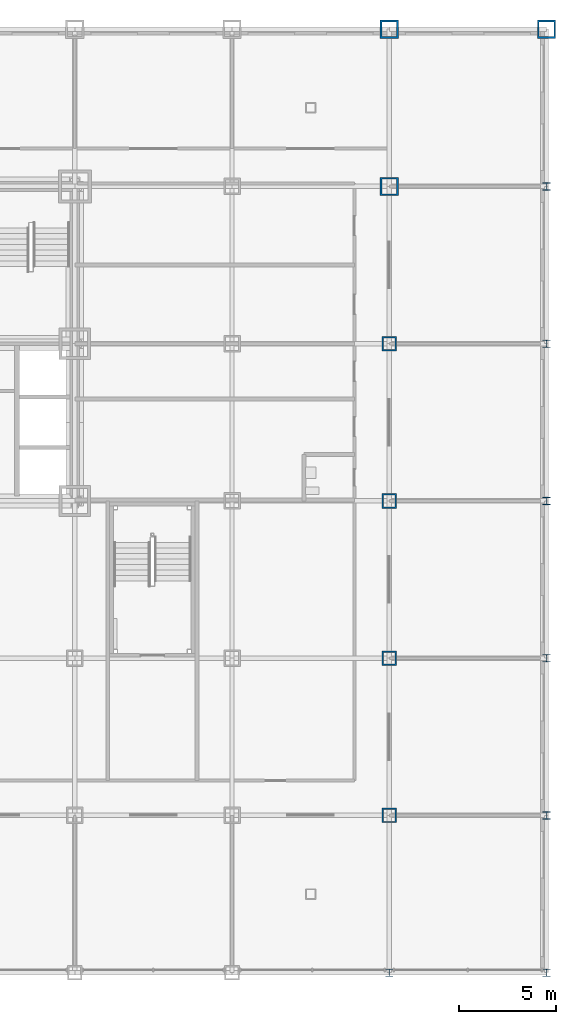
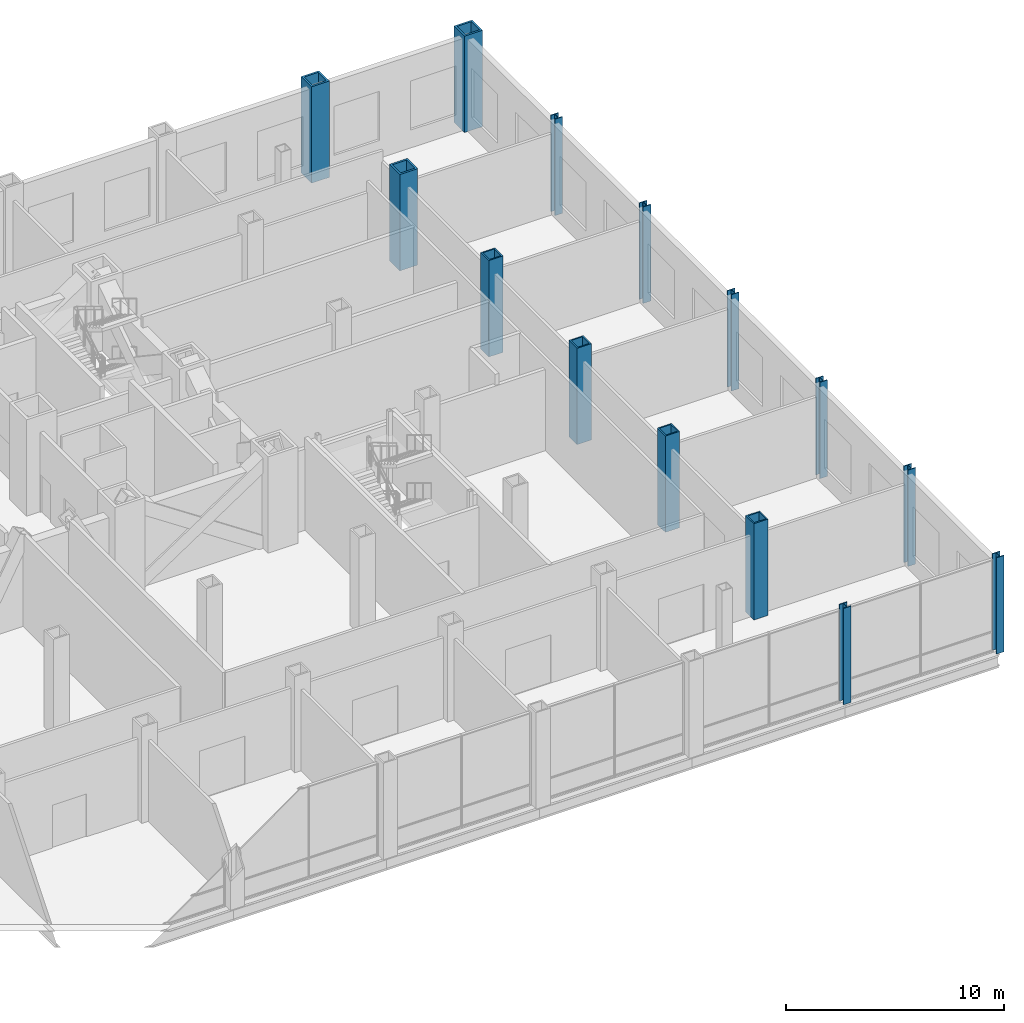
# One storey, part 6 of 26: 14 columns.
"""IFC4 building model written with IfcOpenShell, lengths in metres."""

from ifc_helpers import new_model, si_unit, direction, frame, origin, origin_2d, place, context, subcontext, project, spatial, hollow_rectangle, i_section, extrude, material, material_profile, profile_set, type_object, element, save


model = new_model("IFC4")

# Units and contexts
model_context = context("Model", 3, precision=1e-05, world=origin(), true_north=direction((0.0, 1.0)))
body_context = subcontext(model_context, "Body", "Model", "MODEL_VIEW")
ifc_project = project(units=[si_unit("LENGTHUNIT", "METRE"), si_unit("AREAUNIT", "SQUARE_METRE"), si_unit("VOLUMEUNIT", "CUBIC_METRE"), si_unit("PLANEANGLEUNIT", "RADIAN"), si_unit("MASSUNIT", "GRAM", prefix="KILO")], contexts=[model_context])

# Site, building, storey
site_placement = place(None, origin())
site = spatial("IfcSite", under=ifc_project, at=site_placement, CompositionType="ELEMENT")
building_placement = place(site_placement, origin())
building = spatial("IfcBuilding", under=site, at=building_placement, Name="Kopane Lantern Tower", CompositionType="ELEMENT")
storey_placement = place(building_placement, frame((0.0, 0.0, 16.800048828125)))
storey = spatial("IfcBuildingStorey", under=building, at=storey_placement, Name="L03", CompositionType="ELEMENT", Elevation=16.800048828125)

# Columns
ifc_material_1 = material(Name="Steel S355JR", Category="steel")
ifc_material_profile_1 = material_profile(ifc_material_1, hollow_rectangle(XDim=0.75, YDim=0.75, WallThickness=0.070068359375, at=origin_2d()), Name="BOX 750x750x70")
ifc_profile_set_1 = profile_set([ifc_material_profile_1], Name="Steel S355JR")
column_type_1 = type_object("IfcColumnType", Name="COLUMN BOX 750x750x70", PredefinedType="COLUMN", material=ifc_profile_set_1)
for number, where, z_axis, x_axis, name in (
    (1, (56.699951171875, 8.10009765625, 0.0), (0.0, 0.0, 1.0), (1.0, 0.0, 0.0), "Column 9/C L03"),
    (2, (56.699951171875, 16.199951171875, 0.0), (0.0, 0.0, 1.0), (1.0, 0.0, 0.0), "Column 9/D L03"),
    (3, (56.699951171875, 24.300048828125, 0.0), (0.0, 0.0, 1.0), (1.0, 0.0, 0.0), "Column 9/E L03"),
    (4, (56.699951171875, 32.39990234375, 0.0), (0.0, 0.0, 1.0), (1.0, 0.0, 0.0), "Column 9/F L03"),
):
    element("IfcColumn", number, at=place(storey_placement, frame(where, z_axis=z_axis, x_axis=x_axis)), inside=storey, type_object=column_type_1, Name=name, PredefinedType="COLUMN", context=body_context, shape_type="SweptSolid", body=[
        extrude(hollow_rectangle(XDim=0.75, YDim=0.75, WallThickness=0.070068359375, at=origin_2d()), origin(), (0.0, 0.0, 1.0), 5.39990234375),
    ])
ifc_material_2 = material(Name="Steel S355JR", Category="steel")
ifc_material_profile_2 = material_profile(ifc_material_2, hollow_rectangle(XDim=0.949951171875, YDim=0.949951171875, WallThickness=0.10009765625, at=origin_2d()), Name="BOX 950x950x100")
ifc_profile_set_2 = profile_set([ifc_material_profile_2], Name="Steel S355JR")
column_type_2 = type_object("IfcColumnType", Name="COLUMN BOX 950x950x100", PredefinedType="COLUMN", material=ifc_profile_set_2)
for number, where, z_axis, x_axis, name in (
    (5, (56.699951171875, 40.5, 0.0), (0.0, 0.0, 1.0), (1.0, 0.0, 0.0), "Column 9/G L03"),
    (6, (56.699951171875, 48.60009765625, 0.0), (0.0, 0.0, 1.0), (1.0, 0.0, 0.0), "Column 9/H L03"),
    (7, (64.800048828125, 48.60009765625, 0.0), (0.0, 0.0, 1.0), (1.0, 0.0, 0.0), "Column 10/H L03"),
):
    element("IfcColumn", number, at=place(storey_placement, frame(where, z_axis=z_axis, x_axis=x_axis)), inside=storey, type_object=column_type_2, Name=name, PredefinedType="COLUMN", context=body_context, shape_type="SweptSolid", body=[
        extrude(hollow_rectangle(XDim=0.949951171875, YDim=0.949951171875, WallThickness=0.10009765625, at=origin_2d()), origin(), (0.0, 0.0, 1.0), 5.39990234375),
    ])
ifc_material_3 = material(Name="Steel S355JR", Category="steel")
ifc_material_profile_3 = material_profile(ifc_material_3, i_section(OverallWidth=0.403076171875, OverallDepth=0.406494140625, WebThickness=0.026611328125, FlangeThickness=0.04296875, FilletRadius=0.01513671875, at=origin_2d()), Name="UC 356x406x340")
ifc_profile_set_3 = profile_set([ifc_material_profile_3], Name="Steel S355JR")
column_type_3 = type_object("IfcColumnType", Name="COLUMN UC 356x406x340", PredefinedType="COLUMN", material=ifc_profile_set_3)
for number, where, z_axis, x_axis, name in (
    (8, (56.699951171875, 0.0, 0.0), (0.0, 0.0, 1.0), (1.0, 0.0, 0.0), "Column 9/B L03"),
    (9, (64.800048828125, 0.0, 0.0), (0.0, 0.0, 1.0), (1.0, 0.0, 0.0), "Column 10/B L03"),
    (10, (64.800048828125, 8.10009765625, 0.0), (0.0, 0.0, 1.0), (1.0, 0.0, 0.0), "Column 10/C L03"),
    (11, (64.800048828125, 16.199951171875, 0.0), (0.0, 0.0, 1.0), (1.0, 0.0, 0.0), "Column 10/D L03"),
    (12, (64.800048828125, 24.300048828125, 0.0), (0.0, 0.0, 1.0), (1.0, 0.0, 0.0), "Column 10/E L03"),
    (13, (64.800048828125, 32.39990234375, 0.0), (0.0, 0.0, 1.0), (1.0, 0.0, 0.0), "Column 10/F L03"),
    (14, (64.800048828125, 40.5, 0.0), (0.0, 0.0, 1.0), (1.0, 0.0, 0.0), "Column 10/G L03"),
):
    element("IfcColumn", number, at=place(storey_placement, frame(where, z_axis=z_axis, x_axis=x_axis)), inside=storey, type_object=column_type_3, Name=name, PredefinedType="COLUMN", context=body_context, shape_type="SweptSolid", body=[
        extrude(i_section(OverallWidth=0.403076171875, OverallDepth=0.406494140625, WebThickness=0.026611328125, FlangeThickness=0.04296875, FilletRadius=0.01513671875, at=origin_2d()), origin(), (0.0, 0.0, 1.0), 5.39990234375),
    ])

save(model, "model.ifc")
